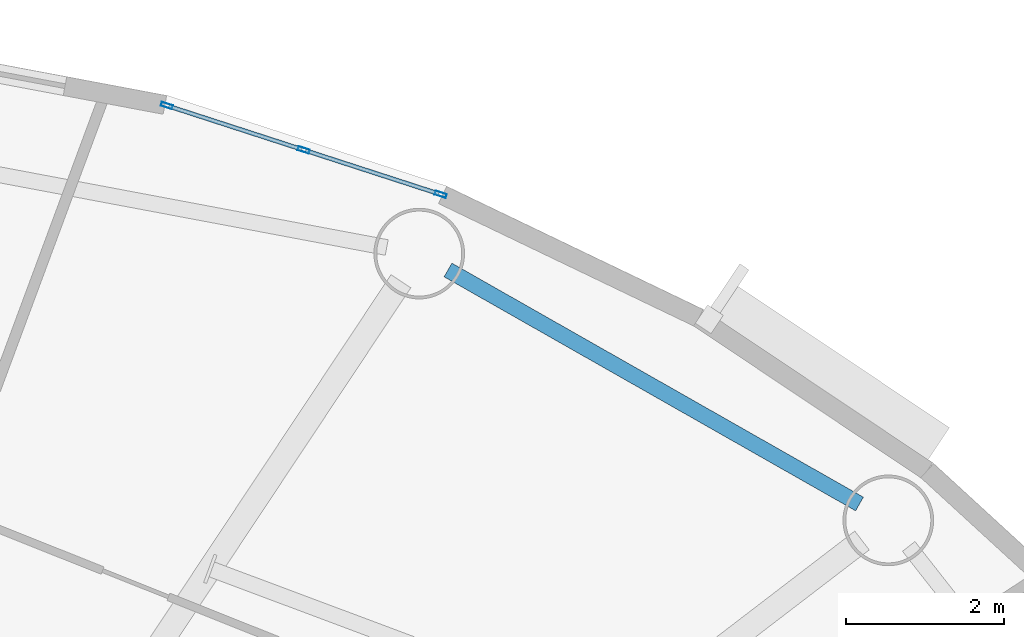
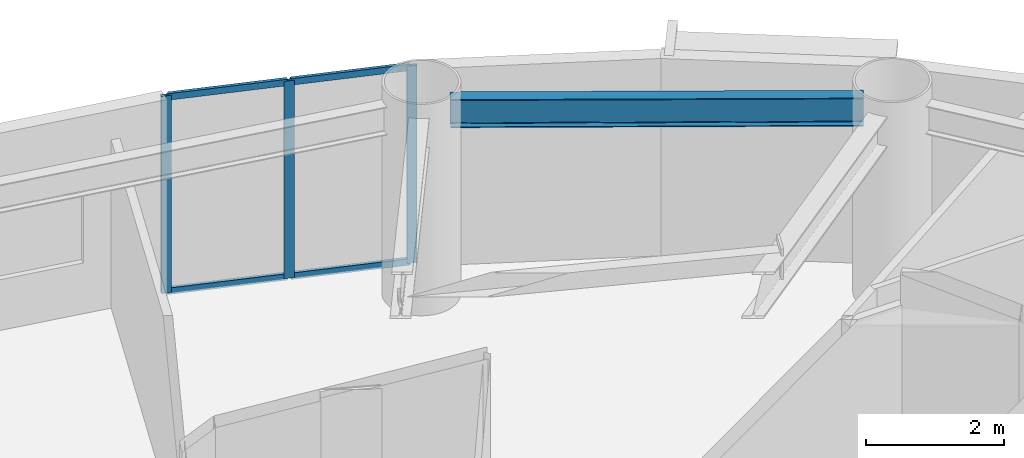
# One storey, part 5 of 22: 7 members, 1 beam, 1 element without a shape of its own.
"""IFC4 building model written with IfcOpenShell, lengths in metres."""

import ifcopenshell
import ifcopenshell.guid

model = None  # the IFC model being written
_history = None  # IfcOwnerHistory: only IFC2X3 demands one
_inside = {}  # id of a spatial element -> (the spatial element, [elements in it])
_under = {}  # id of a project, library or spatial element -> (it, [spatial elements below it])
_declared = {}  # id of a project -> (the project, [libraries it declares])
_typed = {}  # id of a type object -> (the type object, [elements of that type])
_made_of = {}  # id of a material, layer set ... -> (it, [elements and type objects made of it])


def new_model(schema):
    """Start an empty IFC model of exactly this schema.

    Asked for "IFC4X3", IfcOpenShell would pick the latest addendum, in which some entities
    have other attributes; the version numbers below select the first issue.
    IFC2X3 requires an IfcOwnerHistory on every rooted entity: one is made here for all.
    """
    global model, _history
    if schema == "IFC4X3":
        model = ifcopenshell.file(schema_version=(4, 3, 0, 0))
    else:
        model = ifcopenshell.file(schema=schema)
    _inside.clear()
    _under.clear()
    _declared.clear()
    _typed.clear()
    _made_of.clear()
    _history = None
    if model.schema == "IFC2X3":
        org = make("IfcOrganization", Name="unknown")
        user = make(
            "IfcPersonAndOrganization",
            ThePerson=make("IfcPerson", FamilyName="unknown"),
            TheOrganization=org,
        )
        app = make(
            "IfcApplication",
            ApplicationDeveloper=org,
            Version="unknown",
            ApplicationFullName="unknown",
            ApplicationIdentifier="unknown",
        )
        _history = make(
            "IfcOwnerHistory",
            OwningUser=user,
            OwningApplication=app,
            ChangeAction="ADDED",
            CreationDate=0,
        )
    return model


def make(cls, **values):
    """One entity of the class cls with the attributes given. An attribute that is None is left unset."""
    return model.create_entity(
        cls, **{name: value for name, value in values.items() if value is not None}
    )


def rooted(cls, **values):
    """An entity with a GlobalId (a new one), such as an element, a storey or a relation."""
    return make(cls, GlobalId=ifcopenshell.guid.new(), OwnerHistory=_history, **values)


def si_unit(unit_type, name, prefix=None):
    """IfcSIUnit, for example si_unit("LENGTHUNIT", "METRE", prefix="MILLI")."""
    return make("IfcSIUnit", UnitType=unit_type, Prefix=prefix, Name=name)


def assignment(units):
    """IfcUnitAssignment: the units of a project."""
    return None if units is None else make("IfcUnitAssignment", Units=units)


def point(xyz):
    """IfcCartesianPoint."""
    return None if xyz is None else make("IfcCartesianPoint", Coordinates=xyz)


def direction(xyz):
    """IfcDirection."""
    return None if xyz is None else make("IfcDirection", DirectionRatios=xyz)


def frame(location, z_axis=None, x_axis=None):
    """IfcAxis2Placement3D, a coordinate frame: its origin and axes. An axis left out is left unset."""
    return make(
        "IfcAxis2Placement3D",
        Location=point(location),
        Axis=direction(z_axis),
        RefDirection=direction(x_axis),
    )


def frame_2d(location, x_axis=None):
    """IfcAxis2Placement2D, a coordinate frame in the plane: its origin and x axis."""
    return make(
        "IfcAxis2Placement2D", Location=point(location), RefDirection=direction(x_axis)
    )


def origin():
    """The frame at (0, 0, 0) with its axes left unset."""
    return frame((0.0, 0.0, 0.0))


def origin_2d():
    """The frame at (0, 0) in the plane with its x axis left unset."""
    return frame_2d((0.0, 0.0))


def place(relative_to, where):
    """IfcLocalPlacement: puts the frame where relative to a parent placement (None: the world)."""
    return make(
        "IfcLocalPlacement", PlacementRelTo=relative_to, RelativePlacement=where
    )


def context(
    kind, dimensions, precision=None, world=None, true_north=None, identifier=None
):
    """IfcGeometricRepresentationContext, for example the 3D "Model" context."""
    return make(
        "IfcGeometricRepresentationContext",
        ContextIdentifier=identifier,
        ContextType=kind,
        CoordinateSpaceDimension=dimensions,
        Precision=precision,
        WorldCoordinateSystem=world,
        TrueNorth=true_north,
    )


def subcontext(parent, identifier, kind, view, scale=None):
    """IfcGeometricRepresentationSubContext, for example "Body" below "Model"."""
    return make(
        "IfcGeometricRepresentationSubContext",
        ContextIdentifier=identifier,
        ContextType=kind,
        ParentContext=parent,
        TargetScale=scale,
        TargetView=view,
    )


def project(units=None, contexts=None):
    """IfcProject with its units and contexts."""
    return rooted(
        "IfcProject",
        Name="project",
        RepresentationContexts=contexts,
        UnitsInContext=assignment(units),
    )


def spatial(cls, under=None, at=None, **own):
    """A site, building, storey or space (cls), placed at a placement, below another one or the project."""
    s = rooted(cls, ObjectPlacement=at, **own)
    if under is not None:
        _under.setdefault(under.id(), (under, []))[1].append(s)
    return s


def profile(cls, at=None, kind="AREA", **sizes):
    """A parametric profile (cls). Its sizes go by their IFC names, for example OverallWidth=200.0."""
    return make(cls, ProfileType=kind, Position=at, **sizes)


def hollow_rectangle(**sizes):
    """IfcRectangleHollowProfileDef."""
    return profile("IfcRectangleHollowProfileDef", **sizes)


def i_section(**sizes):
    """IfcIShapeProfileDef."""
    return profile("IfcIShapeProfileDef", **sizes)


def extrude(swept, where, along, depth):
    """IfcExtrudedAreaSolid: the profile swept, set in the frame where, extruded along a direction by depth."""
    return make(
        "IfcExtrudedAreaSolid",
        SweptArea=swept,
        Position=where,
        ExtrudedDirection=direction(along),
        Depth=depth,
    )


def shape(context_of_items, identifier, shape_type, items):
    """IfcShapeRepresentation: the items that make up one representation, for example the "Body"."""
    return make(
        "IfcShapeRepresentation",
        ContextOfItems=context_of_items,
        RepresentationIdentifier=identifier,
        RepresentationType=shape_type,
        Items=items,
    )


def source(mapping_origin, context_of_items, identifier, shape_type, items):
    """IfcRepresentationMap: a shape defined once, which mapped items show again and again."""
    return make(
        "IfcRepresentationMap",
        MappingOrigin=mapping_origin,
        MappedRepresentation=shape(context_of_items, identifier, shape_type, items),
    )


def transform(
    local_origin,
    x_axis=None,
    y_axis=None,
    z_axis=None,
    scale=None,
    scale2=None,
    scale3=None,
    uniform=True,
):
    """IfcCartesianTransformationOperator3D, or its non-uniform kind. x_axis, y_axis, z_axis: its Axis1, 2, 3."""
    if uniform:
        return make(
            "IfcCartesianTransformationOperator3D",
            Axis1=direction(x_axis),
            Axis2=direction(y_axis),
            LocalOrigin=point(local_origin),
            Scale=scale,
            Axis3=direction(z_axis),
        )
    return make(
        "IfcCartesianTransformationOperator3DnonUniform",
        Axis1=direction(x_axis),
        Axis2=direction(y_axis),
        LocalOrigin=point(local_origin),
        Scale=scale,
        Axis3=direction(z_axis),
        Scale2=scale2,
        Scale3=scale3,
    )


def mapped(mapping_source, mapping_target):
    """IfcMappedItem: shows the shape of a source again, moved by a transform."""
    return make(
        "IfcMappedItem", MappingSource=mapping_source, MappingTarget=mapping_target
    )


def material(Name=None, Category=None):
    """IfcMaterial."""
    return make("IfcMaterial", Name=Name, Category=Category)


def layer(
    of_material, thickness, ventilated=None, Name=None, Category=None, Priority=None
):
    """IfcMaterialLayer: one layer of a wall or slab, of a material (None: an air gap)."""
    return make(
        "IfcMaterialLayer",
        Material=of_material,
        LayerThickness=thickness,
        IsVentilated=ventilated,
        Name=Name,
        Category=Category,
        Priority=Priority,
    )


def layer_set(layers, Name=None):
    """IfcMaterialLayerSet."""
    return make("IfcMaterialLayerSet", MaterialLayers=layers, LayerSetName=Name)


def material_profile(
    of_material, cross_section, Name=None, Category=None, Priority=None
):
    """IfcMaterialProfile: a cross section and its material."""
    return make(
        "IfcMaterialProfile",
        Name=Name,
        Material=of_material,
        Profile=cross_section,
        Priority=Priority,
        Category=Category,
    )


def profile_set(profiles, Name=None, composite=None):
    """IfcMaterialProfileSet."""
    return make(
        "IfcMaterialProfileSet",
        Name=Name,
        MaterialProfiles=profiles,
        CompositeProfile=composite,
    )


def made_of(thing, what):
    """Note that an element or type object is made of a material, layer set ...; save() writes the relation."""
    if what is not None:
        _made_of.setdefault(what.id(), (what, []))[1].append(thing)
    return thing


def type_object(cls, material=None, **own):
    """A type object (cls), such as IfcWallType, which elements share."""
    return made_of(rooted(cls, **own), material)


def element(
    cls,
    number,
    at=None,
    inside=None,
    cuts=None,
    type_object=None,
    material=None,
    context=None,
    identifier="Body",
    shape_type=None,
    held_by="IfcProductDefinitionShape",
    body=None,
    shapes=None,
    **own,
):
    """One element of the class cls, such as IfcWall. Its Tag is "e" and its number.

    at: its placement. inside: the storey or other place that contains it. cuts: it is an
    opening in that element (IfcRelVoidsElement). A single representation is given by context,
    identifier, shape_type and body (its items); several are given by shapes. held_by: the class
    of the entity that holds the representations. save() writes the other relations.
    """
    e = rooted(cls, Tag="e%d" % number, ObjectPlacement=at, **own)
    if body is not None:
        shapes = [shape(context, identifier, shape_type, body)]
    if shapes is not None:
        e.Representation = make(held_by, Representations=shapes)
    if inside is not None:
        _inside.setdefault(inside.id(), (inside, []))[1].append(e)
    if cuts is not None:
        rooted(
            "IfcRelVoidsElement", RelatingBuildingElement=cuts, RelatedOpeningElement=e
        )
    if type_object is not None:
        _typed.setdefault(type_object.id(), (type_object, []))[1].append(e)
    return made_of(e, material)


def aggregate(whole, parts):
    """IfcRelAggregates: a whole, such as a stair, and the parts it consists of."""
    return rooted("IfcRelAggregates", RelatingObject=whole, RelatedObjects=parts)


def save(model, path):
    """Write the relations noted so far, then the file.

    IfcRelAggregates (storeys below a building ...), IfcRelContainedInSpatialStructure (elements
    in a storey), IfcRelDefinesByType, IfcRelAssociatesMaterial and IfcRelDeclares: one each for
    every whole, place, type object, material and project.
    """
    for whole, parts in _under.values():
        aggregate(whole, parts)
    for where, things in _inside.values():
        rooted(
            "IfcRelContainedInSpatialStructure",
            RelatedElements=things,
            RelatingStructure=where,
        )
    for kind, things in _typed.values():
        rooted("IfcRelDefinesByType", RelatedObjects=things, RelatingType=kind)
    for what, things in _made_of.values():
        rooted("IfcRelAssociatesMaterial", RelatedObjects=things, RelatingMaterial=what)
    for by, libraries in _declared.values():
        rooted("IfcRelDeclares", RelatingContext=by, RelatedDefinitions=libraries)
    model.write(path)


model = new_model("IFC4")

# Units and contexts
model_context = context("Model", 3, precision=1e-05, world=origin(), true_north=direction((0.0, 1.0)))
body_context = subcontext(model_context, "Body", "Model", "MODEL_VIEW")
ifc_project = project(units=[si_unit("LENGTHUNIT", "METRE"), si_unit("AREAUNIT", "SQUARE_METRE"), si_unit("VOLUMEUNIT", "CUBIC_METRE"), si_unit("PLANEANGLEUNIT", "RADIAN"), si_unit("MASSUNIT", "GRAM", prefix="KILO")], contexts=[model_context])

# Site, building, storey
site_placement = place(None, origin())
site = spatial("IfcSite", under=ifc_project, at=site_placement, CompositionType="ELEMENT")
building_placement = place(site_placement, origin())
building = spatial("IfcBuilding", under=site, at=building_placement, Name="Linh Dai School and Residence Tower", CompositionType="ELEMENT")
storey_placement = place(building_placement, frame((0.0, 0.0, 214.050048828125)))
storey = spatial("IfcBuildingStorey", under=building, at=storey_placement, Name="L52", CompositionType="ELEMENT", Elevation=214.050048828125)

# Beam
ifc_material_1 = material(Name="Structural Steel S355JR", Category="steel")
ifc_material_profile_1 = material_profile(ifc_material_1, i_section(OverallWidth=0.199951171875, OverallDepth=0.5, WebThickness=0.01025390625, FlangeThickness=0.01611328125, FilletRadius=0.02099609375, at=origin_2d()), Name="IPE 500")
ifc_profile_set_1 = profile_set([ifc_material_profile_1], Name="Structural Steel S355JR")
beam_type = type_object("IfcBeamType", Name="BM-RB50", PredefinedType="BEAM", material=ifc_profile_set_1)
beam_placement = place(storey_placement, frame((52.318115234375, 39.988525390625, 3.25), z_axis=(-0.869297314463, 0.494289570058, 0.0), x_axis=(-0.494289570058, -0.869297314463, 0.0)))
element("IfcBeam", 1, at=beam_placement, inside=storey, type_object=beam_type, Name="L52 Perimeter Elliptical Ring Beam 03", PredefinedType="BEAM", context=body_context, shape_type="SweptSolid", body=[
    extrude(i_section(OverallWidth=0.199951171875, OverallDepth=0.5, WebThickness=0.01025390625, FlangeThickness=0.01611328125, FilletRadius=0.02099609375, at=origin_2d()), origin(), (0.0, 0.0, 1.0), 6.003173828125),
])

# Curtain wall, members
ifc_material_2 = material(Name="Aluminium Anodised Curtain Wall", Category="aluminium")
ifc_layer = layer(ifc_material_2, 0.14990234375)
ifc_layer_set = layer_set([ifc_layer], Name="Aluminium Anodised Curtain Wall")
curtain_wall_type = type_object("IfcCurtainWallType", Name="CW-SYS-4", PredefinedType="USERDEFINED", material=ifc_layer_set)
curtain_wall_placement = place(storey_placement, origin())
curtain_wall = element("IfcCurtainWall", 2, at=curtain_wall_placement, inside=storey, type_object=curtain_wall_type, Name="L52 CW4 Curtain Wall 08", ObjectType="RIBBON CURTAIN WALL", PredefinedType="USERDEFINED")
ifc_material_3 = material(Name="Aluminium Alloy 6063-T6", Category="aluminium")
ifc_material_profile_2 = material_profile(ifc_material_3, hollow_rectangle(XDim=0.052001953125, YDim=0.14990234375, WallThickness=0.00390625, at=origin_2d()), Name="RHS 150x52x4")
ifc_profile_set_2 = profile_set([ifc_material_profile_2], Name="Aluminium Alloy 6063-T6")
member_type_1 = type_object("IfcMemberType", Name="CW-SYS-4-MUL", PredefinedType="MULLION", material=ifc_profile_set_2)
shared_shape_1 = source(origin(), body_context, "Body", "SweptSolid", [
    extrude(hollow_rectangle(XDim=0.052001953125, YDim=0.14990234375, WallThickness=0.00390625, at=origin_2d()), origin(), (0.0, 0.0, 1.0), 3.5),
])
member_1_placement = place(storey_placement, frame((43.533935546875, 45.040771484375, 0.0), z_axis=(0.0, 0.0, 1.0), x_axis=(0.308501065272, 0.951223997135, 0.0)))
member_1 = element("IfcMember", 3, at=member_1_placement, type_object=member_type_1, Name="CW4 mullion 1", PredefinedType="MULLION", context=body_context, shape_type="MappedRepresentation", body=[
    mapped(shared_shape_1, transform((0.0, 0.0, 0.0), x_axis=(1.0, 0.0, 0.0), y_axis=(0.0, 1.0, 0.0), z_axis=(0.0, 0.0, 1.0), scale=1.0)),
])
member_2_placement = place(storey_placement, frame((45.27001953125, 44.477783203125, 0.0), z_axis=(0.0, 0.0, 1.0), x_axis=(0.308501065272, 0.951223997135, 0.0)))
member_2 = element("IfcMember", 4, at=member_2_placement, type_object=member_type_1, Name="CW4 mullion 2", PredefinedType="MULLION", context=body_context, shape_type="MappedRepresentation", body=[
    mapped(shared_shape_1, transform((0.0, 0.0, 0.0), x_axis=(1.0, 0.0, 0.0), y_axis=(0.0, 1.0, 0.0), z_axis=(0.0, 0.0, 1.0), scale=1.0)),
])
member_3_placement = place(storey_placement, frame((47.00634765625, 43.91455078125, 0.0), z_axis=(0.0, 0.0, 1.0), x_axis=(0.308501065272, 0.951223997135, 0.0)))
member_3 = element("IfcMember", 5, at=member_3_placement, type_object=member_type_1, Name="CW4 mullion 3", PredefinedType="MULLION", context=body_context, shape_type="MappedRepresentation", body=[
    mapped(shared_shape_1, transform((0.0, 0.0, 0.0), x_axis=(1.0, 0.0, 0.0), y_axis=(0.0, 1.0, 0.0), z_axis=(0.0, 0.0, 1.0), scale=1.0)),
])
ifc_material_profile_3 = material_profile(ifc_material_3, hollow_rectangle(XDim=0.052001953125, YDim=0.114990234375, WallThickness=0.00390625, at=origin_2d()), Name="RHS 115x52x4")
ifc_profile_set_3 = profile_set([ifc_material_profile_3], Name="Aluminium Alloy 6063-T6")
member_type_2 = type_object("IfcMemberType", Name="CW-SYS-4-TRN", PredefinedType="USERDEFINED", material=ifc_profile_set_3)
shared_shape_2 = source(origin(), body_context, "Body", "SweptSolid", [
    extrude(hollow_rectangle(XDim=0.052001953125, YDim=0.114990234375, WallThickness=0.00390625, at=origin_2d()), origin(), (0.0, 0.0, 1.0), 1.773193359375),
])
member_4_placement = place(storey_placement, frame((43.55859375, 45.03271484375, 0.02587890625), z_axis=(0.951212990868, -0.308534999643, 0.0), x_axis=(0.308534999643, 0.951212990868, 0.0)))
member_4 = element("IfcMember", 6, at=member_4_placement, type_object=member_type_2, Name="CW4 transom 1.1", ObjectType="TRANSOM", PredefinedType="USERDEFINED", context=body_context, shape_type="MappedRepresentation", body=[
    mapped(shared_shape_2, transform((0.0, 0.0, 0.0), x_axis=(1.0, 0.0, 0.0), y_axis=(0.0, 1.0, 0.0), z_axis=(0.0, 0.0, 1.0), scale=1.0)),
])
member_5_placement = place(storey_placement, frame((43.55859375, 45.03271484375, 3.473876953125), z_axis=(0.951212990868, -0.308534999643, 0.0), x_axis=(0.308534999643, 0.951212990868, 0.0)))
member_5 = element("IfcMember", 7, at=member_5_placement, type_object=member_type_2, Name="CW4 transom 1.2", ObjectType="TRANSOM", PredefinedType="USERDEFINED", context=body_context, shape_type="MappedRepresentation", body=[
    mapped(shared_shape_2, transform((0.0, 0.0, 0.0), x_axis=(1.0, 0.0, 0.0), y_axis=(0.0, 1.0, 0.0), z_axis=(0.0, 0.0, 1.0), scale=1.0)),
])
member_6_placement = place(storey_placement, frame((45.294921875, 44.4697265625, 0.02587890625), z_axis=(0.951212990868, -0.308534999643, 0.0), x_axis=(0.308534999643, 0.951212990868, 0.0)))
member_6 = element("IfcMember", 8, at=member_6_placement, type_object=member_type_2, Name="CW4 transom 2.1", ObjectType="TRANSOM", PredefinedType="USERDEFINED", context=body_context, shape_type="MappedRepresentation", body=[
    mapped(shared_shape_2, transform((0.0, 0.0, 0.0), x_axis=(1.0, 0.0, 0.0), y_axis=(0.0, 1.0, 0.0), z_axis=(0.0, 0.0, 1.0), scale=1.0)),
])
member_7_placement = place(storey_placement, frame((45.294921875, 44.4697265625, 3.473876953125), z_axis=(0.951212990868, -0.308534999643, 0.0), x_axis=(0.308534999643, 0.951212990868, 0.0)))
member_7 = element("IfcMember", 9, at=member_7_placement, type_object=member_type_2, Name="CW4 transom 2.2", ObjectType="TRANSOM", PredefinedType="USERDEFINED", context=body_context, shape_type="MappedRepresentation", body=[
    mapped(shared_shape_2, transform((0.0, 0.0, 0.0), x_axis=(1.0, 0.0, 0.0), y_axis=(0.0, 1.0, 0.0), z_axis=(0.0, 0.0, 1.0), scale=1.0)),
])
aggregate(curtain_wall, [member_1, member_2, member_3, member_4, member_5, member_6, member_7])

save(model, "model.ifc")
